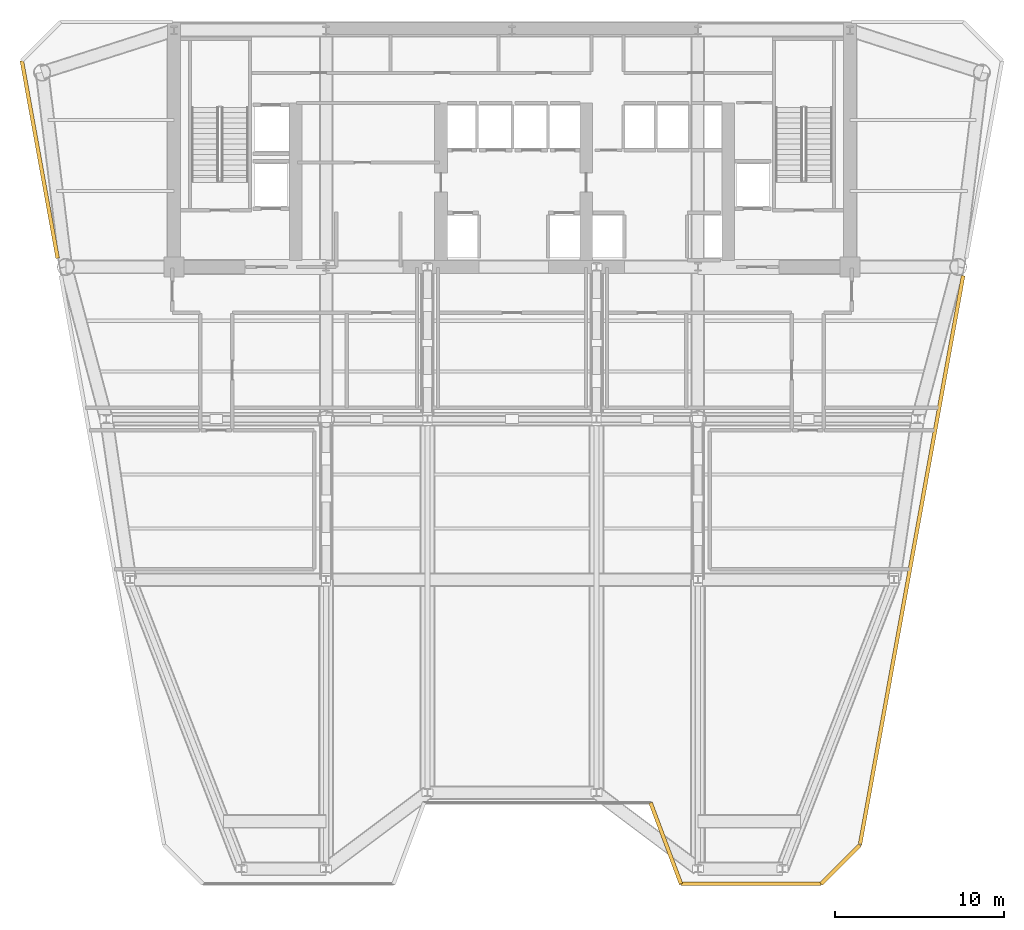
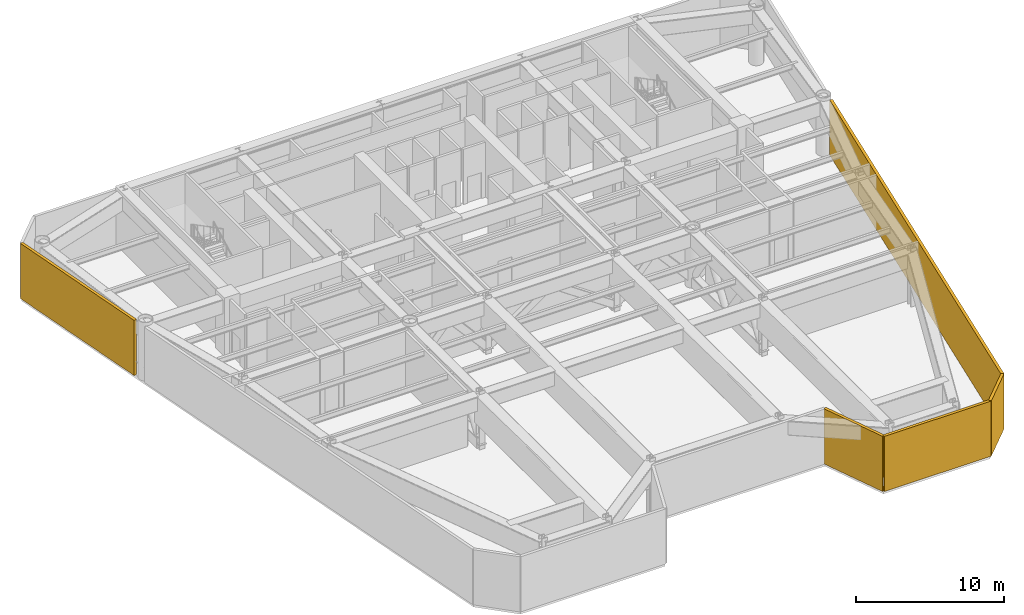
# One storey, part 8 of 10: 5 coverings.
"""IFC4 building model written with IfcOpenShell, lengths in metres."""

import ifcopenshell
import ifcopenshell.guid

model = None  # the IFC model being written
_history = None  # IfcOwnerHistory: only IFC2X3 demands one
_inside = {}  # id of a spatial element -> (the spatial element, [elements in it])
_under = {}  # id of a project, library or spatial element -> (it, [spatial elements below it])
_declared = {}  # id of a project -> (the project, [libraries it declares])
_typed = {}  # id of a type object -> (the type object, [elements of that type])
_made_of = {}  # id of a material, layer set ... -> (it, [elements and type objects made of it])


def new_model(schema):
    """Start an empty IFC model of exactly this schema.

    Asked for "IFC4X3", IfcOpenShell would pick the latest addendum, in which some entities
    have other attributes; the version numbers below select the first issue.
    IFC2X3 requires an IfcOwnerHistory on every rooted entity: one is made here for all.
    """
    global model, _history
    if schema == "IFC4X3":
        model = ifcopenshell.file(schema_version=(4, 3, 0, 0))
    else:
        model = ifcopenshell.file(schema=schema)
    _inside.clear()
    _under.clear()
    _declared.clear()
    _typed.clear()
    _made_of.clear()
    _history = None
    if model.schema == "IFC2X3":
        org = make("IfcOrganization", Name="unknown")
        user = make(
            "IfcPersonAndOrganization",
            ThePerson=make("IfcPerson", FamilyName="unknown"),
            TheOrganization=org,
        )
        app = make(
            "IfcApplication",
            ApplicationDeveloper=org,
            Version="unknown",
            ApplicationFullName="unknown",
            ApplicationIdentifier="unknown",
        )
        _history = make(
            "IfcOwnerHistory",
            OwningUser=user,
            OwningApplication=app,
            ChangeAction="ADDED",
            CreationDate=0,
        )
    return model


def make(cls, **values):
    """One entity of the class cls with the attributes given. An attribute that is None is left unset."""
    return model.create_entity(
        cls, **{name: value for name, value in values.items() if value is not None}
    )


def rooted(cls, **values):
    """An entity with a GlobalId (a new one), such as an element, a storey or a relation."""
    return make(cls, GlobalId=ifcopenshell.guid.new(), OwnerHistory=_history, **values)


def si_unit(unit_type, name, prefix=None):
    """IfcSIUnit, for example si_unit("LENGTHUNIT", "METRE", prefix="MILLI")."""
    return make("IfcSIUnit", UnitType=unit_type, Prefix=prefix, Name=name)


def assignment(units):
    """IfcUnitAssignment: the units of a project."""
    return None if units is None else make("IfcUnitAssignment", Units=units)


def point(xyz):
    """IfcCartesianPoint."""
    return None if xyz is None else make("IfcCartesianPoint", Coordinates=xyz)


def direction(xyz):
    """IfcDirection."""
    return None if xyz is None else make("IfcDirection", DirectionRatios=xyz)


def frame(location, z_axis=None, x_axis=None):
    """IfcAxis2Placement3D, a coordinate frame: its origin and axes. An axis left out is left unset."""
    return make(
        "IfcAxis2Placement3D",
        Location=point(location),
        Axis=direction(z_axis),
        RefDirection=direction(x_axis),
    )


def frame_2d(location, x_axis=None):
    """IfcAxis2Placement2D, a coordinate frame in the plane: its origin and x axis."""
    return make(
        "IfcAxis2Placement2D", Location=point(location), RefDirection=direction(x_axis)
    )


def origin():
    """The frame at (0, 0, 0) with its axes left unset."""
    return frame((0.0, 0.0, 0.0))


def origin_2d():
    """The frame at (0, 0) in the plane with its x axis left unset."""
    return frame_2d((0.0, 0.0))


def place(relative_to, where):
    """IfcLocalPlacement: puts the frame where relative to a parent placement (None: the world)."""
    return make(
        "IfcLocalPlacement", PlacementRelTo=relative_to, RelativePlacement=where
    )


def context(
    kind, dimensions, precision=None, world=None, true_north=None, identifier=None
):
    """IfcGeometricRepresentationContext, for example the 3D "Model" context."""
    return make(
        "IfcGeometricRepresentationContext",
        ContextIdentifier=identifier,
        ContextType=kind,
        CoordinateSpaceDimension=dimensions,
        Precision=precision,
        WorldCoordinateSystem=world,
        TrueNorth=true_north,
    )


def subcontext(parent, identifier, kind, view, scale=None):
    """IfcGeometricRepresentationSubContext, for example "Body" below "Model"."""
    return make(
        "IfcGeometricRepresentationSubContext",
        ContextIdentifier=identifier,
        ContextType=kind,
        ParentContext=parent,
        TargetScale=scale,
        TargetView=view,
    )


def project(units=None, contexts=None):
    """IfcProject with its units and contexts."""
    return rooted(
        "IfcProject",
        Name="project",
        RepresentationContexts=contexts,
        UnitsInContext=assignment(units),
    )


def spatial(cls, under=None, at=None, **own):
    """A site, building, storey or space (cls), placed at a placement, below another one or the project."""
    s = rooted(cls, ObjectPlacement=at, **own)
    if under is not None:
        _under.setdefault(under.id(), (under, []))[1].append(s)
    return s


def profile(cls, at=None, kind="AREA", **sizes):
    """A parametric profile (cls). Its sizes go by their IFC names, for example OverallWidth=200.0."""
    return make(cls, ProfileType=kind, Position=at, **sizes)


def rectangle(**sizes):
    """IfcRectangleProfileDef."""
    return profile("IfcRectangleProfileDef", **sizes)


def extrude(swept, where, along, depth):
    """IfcExtrudedAreaSolid: the profile swept, set in the frame where, extruded along a direction by depth."""
    return make(
        "IfcExtrudedAreaSolid",
        SweptArea=swept,
        Position=where,
        ExtrudedDirection=direction(along),
        Depth=depth,
    )


def shape(context_of_items, identifier, shape_type, items):
    """IfcShapeRepresentation: the items that make up one representation, for example the "Body"."""
    return make(
        "IfcShapeRepresentation",
        ContextOfItems=context_of_items,
        RepresentationIdentifier=identifier,
        RepresentationType=shape_type,
        Items=items,
    )


def source(mapping_origin, context_of_items, identifier, shape_type, items):
    """IfcRepresentationMap: a shape defined once, which mapped items show again and again."""
    return make(
        "IfcRepresentationMap",
        MappingOrigin=mapping_origin,
        MappedRepresentation=shape(context_of_items, identifier, shape_type, items),
    )


def transform(
    local_origin,
    x_axis=None,
    y_axis=None,
    z_axis=None,
    scale=None,
    scale2=None,
    scale3=None,
    uniform=True,
):
    """IfcCartesianTransformationOperator3D, or its non-uniform kind. x_axis, y_axis, z_axis: its Axis1, 2, 3."""
    if uniform:
        return make(
            "IfcCartesianTransformationOperator3D",
            Axis1=direction(x_axis),
            Axis2=direction(y_axis),
            LocalOrigin=point(local_origin),
            Scale=scale,
            Axis3=direction(z_axis),
        )
    return make(
        "IfcCartesianTransformationOperator3DnonUniform",
        Axis1=direction(x_axis),
        Axis2=direction(y_axis),
        LocalOrigin=point(local_origin),
        Scale=scale,
        Axis3=direction(z_axis),
        Scale2=scale2,
        Scale3=scale3,
    )


def mapped(mapping_source, mapping_target):
    """IfcMappedItem: shows the shape of a source again, moved by a transform."""
    return make(
        "IfcMappedItem", MappingSource=mapping_source, MappingTarget=mapping_target
    )


def material(Name=None, Category=None):
    """IfcMaterial."""
    return make("IfcMaterial", Name=Name, Category=Category)


def layer(
    of_material, thickness, ventilated=None, Name=None, Category=None, Priority=None
):
    """IfcMaterialLayer: one layer of a wall or slab, of a material (None: an air gap)."""
    return make(
        "IfcMaterialLayer",
        Material=of_material,
        LayerThickness=thickness,
        IsVentilated=ventilated,
        Name=Name,
        Category=Category,
        Priority=Priority,
    )


def layer_set(layers, Name=None):
    """IfcMaterialLayerSet."""
    return make("IfcMaterialLayerSet", MaterialLayers=layers, LayerSetName=Name)


def made_of(thing, what):
    """Note that an element or type object is made of a material, layer set ...; save() writes the relation."""
    if what is not None:
        _made_of.setdefault(what.id(), (what, []))[1].append(thing)
    return thing


def type_object(cls, material=None, **own):
    """A type object (cls), such as IfcWallType, which elements share."""
    return made_of(rooted(cls, **own), material)


def element(
    cls,
    number,
    at=None,
    inside=None,
    cuts=None,
    type_object=None,
    material=None,
    context=None,
    identifier="Body",
    shape_type=None,
    held_by="IfcProductDefinitionShape",
    body=None,
    shapes=None,
    **own,
):
    """One element of the class cls, such as IfcWall. Its Tag is "e" and its number.

    at: its placement. inside: the storey or other place that contains it. cuts: it is an
    opening in that element (IfcRelVoidsElement). A single representation is given by context,
    identifier, shape_type and body (its items); several are given by shapes. held_by: the class
    of the entity that holds the representations. save() writes the other relations.
    """
    e = rooted(cls, Tag="e%d" % number, ObjectPlacement=at, **own)
    if body is not None:
        shapes = [shape(context, identifier, shape_type, body)]
    if shapes is not None:
        e.Representation = make(held_by, Representations=shapes)
    if inside is not None:
        _inside.setdefault(inside.id(), (inside, []))[1].append(e)
    if cuts is not None:
        rooted(
            "IfcRelVoidsElement", RelatingBuildingElement=cuts, RelatedOpeningElement=e
        )
    if type_object is not None:
        _typed.setdefault(type_object.id(), (type_object, []))[1].append(e)
    return made_of(e, material)


def aggregate(whole, parts):
    """IfcRelAggregates: a whole, such as a stair, and the parts it consists of."""
    return rooted("IfcRelAggregates", RelatingObject=whole, RelatedObjects=parts)


def save(model, path):
    """Write the relations noted so far, then the file.

    IfcRelAggregates (storeys below a building ...), IfcRelContainedInSpatialStructure (elements
    in a storey), IfcRelDefinesByType, IfcRelAssociatesMaterial and IfcRelDeclares: one each for
    every whole, place, type object, material and project.
    """
    for whole, parts in _under.values():
        aggregate(whole, parts)
    for where, things in _inside.values():
        rooted(
            "IfcRelContainedInSpatialStructure",
            RelatedElements=things,
            RelatingStructure=where,
        )
    for kind, things in _typed.values():
        rooted("IfcRelDefinesByType", RelatedObjects=things, RelatingType=kind)
    for what, things in _made_of.values():
        rooted("IfcRelAssociatesMaterial", RelatedObjects=things, RelatingMaterial=what)
    for by, libraries in _declared.values():
        rooted("IfcRelDeclares", RelatingContext=by, RelatedDefinitions=libraries)
    model.write(path)


model = new_model("IFC4")

# Units and contexts
model_context = context("Model", 3, precision=1e-05, world=origin(), true_north=direction((0.0, 1.0)))
body_context = subcontext(model_context, "Body", "Model", "MODEL_VIEW")
ifc_project = project(units=[si_unit("LENGTHUNIT", "METRE"), si_unit("AREAUNIT", "SQUARE_METRE"), si_unit("VOLUMEUNIT", "CUBIC_METRE"), si_unit("PLANEANGLEUNIT", "RADIAN"), si_unit("MASSUNIT", "GRAM", prefix="KILO")], contexts=[model_context])

# Site, building, storey
site_placement = place(None, origin())
site = spatial("IfcSite", under=ifc_project, at=site_placement, CompositionType="ELEMENT")
building_placement = place(site_placement, origin())
building = spatial("IfcBuilding", under=site, at=building_placement, Name="Vaeldorn Concourse Tower", CompositionType="ELEMENT")
storey_placement = place(building_placement, frame((0.0, 0.0, 149.0)))
storey = spatial("IfcBuildingStorey", under=building, at=storey_placement, Name="L38", CompositionType="ELEMENT", Elevation=149.0)

# Coverings
ifc_material = material(Name="Anodised Bronze Aluminium", Category="aluminium")
ifc_layer = layer(ifc_material, 1.60009765625)
ifc_layer_set = layer_set([ifc_layer], Name="Anodised Bronze Aluminium")
covering_type = type_object("IfcCoveringType", Name="SD-BRONZE-LOUVRE", PredefinedType="USERDEFINED", material=ifc_layer_set)
shared_shape_1 = source(origin(), body_context, "Body", "SweptSolid", [
    extrude(rectangle(XDim=5.12646484375, YDim=0.219970703125, at=origin_2d()), origin(), (0.0, 0.0, 1.0), 4.5400390625),
])
covering_1_placement = place(storey_placement, frame((43.10009765625, 2.39990234375, 0.0), z_axis=(0.0, 0.0, 1.0), x_axis=(0.351122702609, -0.936329454686, 0.0)))
element("IfcCovering", 1, at=covering_1_placement, inside=storey, type_object=covering_type, Name="Refuge Band Bronze Acoustic Louvre L38-04.1", ObjectType="LOUVRE", PredefinedType="USERDEFINED", context=body_context, shape_type="MappedRepresentation", body=[
    mapped(shared_shape_1, transform((0.0, 0.0, 0.0), scale=1.0)),
])
shared_shape_2 = source(origin(), body_context, "Body", "SweptSolid", [
    extrude(rectangle(XDim=3.252685546875, YDim=0.219970703125, at=origin_2d()), origin(), (0.0, 0.0, 1.0), 4.5400390625),
])
covering_2_placement = place(storey_placement, frame((53.43505859375, 1.14990234375, 0.0), z_axis=(0.0, 0.0, 1.0), x_axis=(0.707106781187, 0.707106781187, 0.0)))
element("IfcCovering", 2, at=covering_2_placement, inside=storey, type_object=covering_type, Name="Refuge Band Bronze Acoustic Louvre L38-06.1", ObjectType="LOUVRE", PredefinedType="USERDEFINED", context=body_context, shape_type="MappedRepresentation", body=[
    mapped(shared_shape_2, transform((0.0, 0.0, 0.0), scale=1.0)),
])
shared_shape_3 = source(origin(), body_context, "Body", "SweptSolid", [
    extrude(rectangle(XDim=8.284912109375, YDim=0.219970703125, at=origin_2d()), origin(), (0.0, 0.0, 1.0), 4.5400390625),
])
covering_3_placement = place(storey_placement, frame((48.142578125, 0.0, 0.0), z_axis=(0.0, 0.0, 1.0), x_axis=(1.0, 0.0, 0.0)))
element("IfcCovering", 3, at=covering_3_placement, inside=storey, type_object=covering_type, Name="Refuge Band Bronze Acoustic Louvre L38-05.1", ObjectType="LOUVRE", PredefinedType="USERDEFINED", context=body_context, shape_type="MappedRepresentation", body=[
    mapped(shared_shape_3, transform((0.0, 0.0, 0.0), scale=1.0)),
])
shared_shape_4 = source(origin(), body_context, "Body", "SweptSolid", [
    extrude(rectangle(XDim=34.2314453125, YDim=0.219970703125, at=origin_2d()), origin(), (0.0, 0.0, 1.0), 4.5400390625),
])
covering_4_placement = place(storey_placement, frame((57.63916015625, 19.14111328125, 0.0), z_axis=(0.0, 0.0, 1.0), x_axis=(0.178441590414, 0.983950506281, 0.0)))
element("IfcCovering", 4, at=covering_4_placement, inside=storey, type_object=covering_type, Name="Refuge Band Bronze Acoustic Louvre L38-07.1", ObjectType="LOUVRE", PredefinedType="USERDEFINED", context=body_context, shape_type="MappedRepresentation", body=[
    mapped(shared_shape_4, transform((0.0, 0.0, 0.0), scale=1.0)),
])
shared_shape_5 = source(origin(), body_context, "Body", "SweptSolid", [
    extrude(rectangle(XDim=11.87255859375, YDim=0.219970703125, at=origin_2d()), origin(), (0.0, 0.0, 1.0), 4.5400390625),
])
covering_5_placement = place(storey_placement, frame((6.059326171875, 42.85888671875, 0.0), z_axis=(0.0, 0.0, 1.0), x_axis=(0.178441590414, -0.983950506281, 0.0)))
element("IfcCovering", 5, at=covering_5_placement, inside=storey, type_object=covering_type, Name="Refuge Band Bronze Acoustic Louvre L38-11.1", ObjectType="LOUVRE", PredefinedType="USERDEFINED", context=body_context, shape_type="MappedRepresentation", body=[
    mapped(shared_shape_5, transform((0.0, 0.0, 0.0), scale=1.0)),
])

save(model, "model.ifc")
